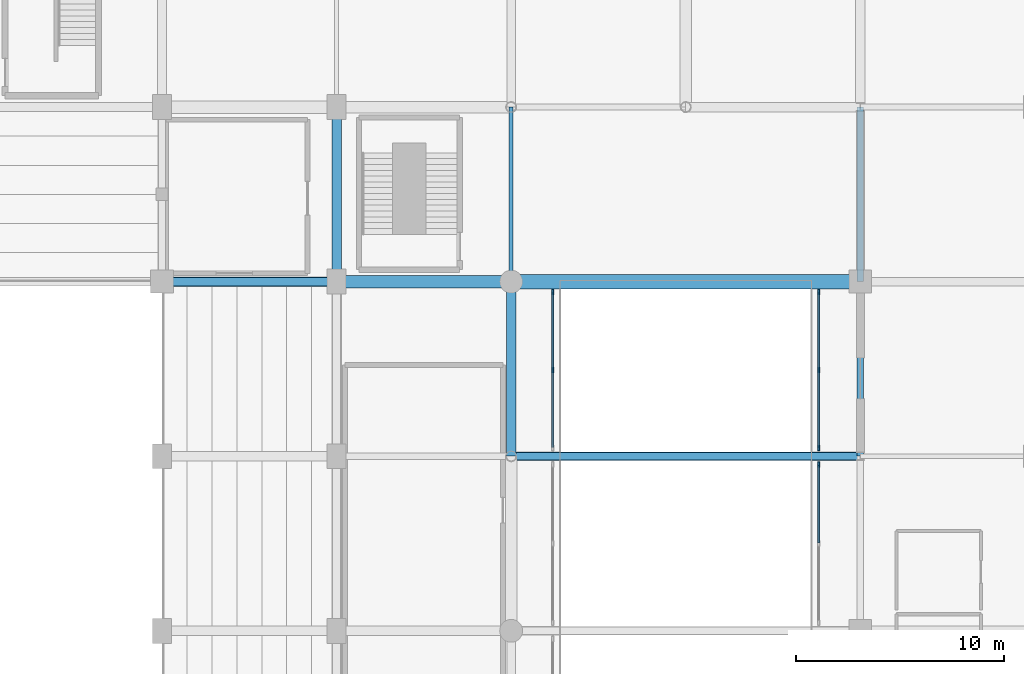
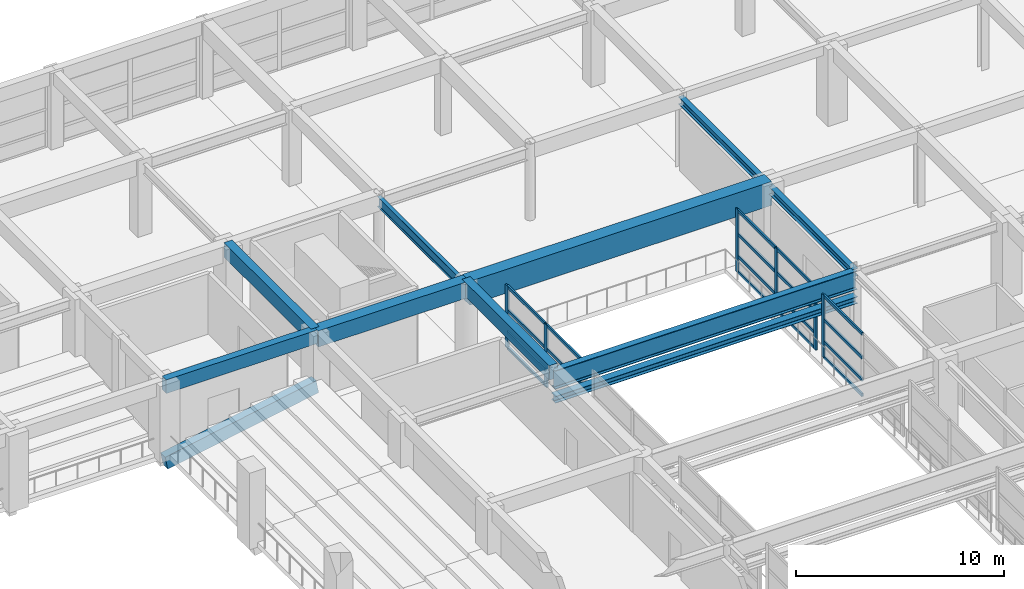
# One storey, part 26 of 62: 25 members, 10 beams, 3 elements without a shape of their own.
"""IFC4 building model written with IfcOpenShell, lengths in metres."""

from ifc_helpers import new_model, si_unit, direction, frame, origin, origin_2d, place, context, subcontext, project, spatial, rectangle, i_section, extrude, material, material_profile, profile_set, type_object, element, aggregate, save


model = new_model("IFC4")

# Units and contexts
model_context = context("Model", 3, precision=1e-05, world=origin(), true_north=direction((0.0, 1.0)))
body_context = subcontext(model_context, "Body", "Model", "MODEL_VIEW")
ifc_project = project(units=[si_unit("LENGTHUNIT", "METRE"), si_unit("AREAUNIT", "SQUARE_METRE"), si_unit("VOLUMEUNIT", "CUBIC_METRE"), si_unit("PLANEANGLEUNIT", "RADIAN"), si_unit("MASSUNIT", "GRAM", prefix="KILO")], contexts=[model_context])

# Site, building, storey
site_placement = place(None, origin())
site = spatial("IfcSite", under=ifc_project, at=site_placement, CompositionType="ELEMENT")
building_placement = place(site_placement, origin())
building = spatial("IfcBuilding", under=site, at=building_placement, Name="Xuanlan Plaza Opera House", CompositionType="ELEMENT")
storey_placement = place(building_placement, frame((0.0, 0.0, 14.39990234375)))
storey = spatial("IfcBuildingStorey", under=building, at=storey_placement, Name="L03", CompositionType="ELEMENT", Elevation=14.39990234375)

# Curtain wall, members
ifc_material_1 = material(Name="Anodised Aluminium 6063-T6 and Low-E Glass", Category="aluminium")
curtain_wall_type = type_object("IfcCurtainWallType", Name="ENV-CW-CW-06", PredefinedType="USERDEFINED", material=ifc_material_1)
curtain_wall_1_placement = place(storey_placement, origin())
curtain_wall_1 = element("IfcCurtainWall", 1, at=curtain_wall_1_placement, inside=storey, type_object=curtain_wall_type, Name="Acoustic Glazed Wall ATR-L03-14", ObjectType="ACOUSTIC GLAZED WALL", PredefinedType="USERDEFINED")
ifc_material_2 = material(Name="Anodised Aluminium 6063-T6", Category="aluminium")
ifc_material_profile_1 = material_profile(ifc_material_2, rectangle(XDim=0.090087890625, YDim=0.25, at=origin_2d()), Name="ALU-M 90x250")
ifc_profile_set_1 = profile_set([ifc_material_profile_1], Name="Anodised Aluminium 6063-T6")
member_type_1 = type_object("IfcMemberType", Name="ENV-CWM-05", PredefinedType="MULLION", material=ifc_profile_set_1)
member_1_placement = place(storey_placement, frame((111.199951171875, 71.35009765625, 0.0), z_axis=(0.0, 0.0, 1.0), x_axis=(-1.0, 0.0, 0.0)))
member_1 = element("IfcMember", 2, at=member_1_placement, type_object=member_type_1, Name="CW-06 mullion 2", PredefinedType="MULLION", context=body_context, shape_type="SweptSolid", body=[
    extrude(rectangle(XDim=0.090087890625, YDim=0.25, at=origin_2d()), origin(), (0.0, 0.0, 1.0), 3.68017578125),
])
member_2_placement = place(storey_placement, frame((111.199951171875, 75.10498046875, 0.0), z_axis=(0.0, 0.0, 1.0), x_axis=(-1.0, 0.0, 0.0)))
member_2 = element("IfcMember", 3, at=member_2_placement, type_object=member_type_1, Name="CW-06 mullion 3", PredefinedType="MULLION", context=body_context, shape_type="SweptSolid", body=[
    extrude(rectangle(XDim=0.090087890625, YDim=0.25, at=origin_2d()), origin(), (0.0, 0.0, 1.0), 3.68017578125),
])

# Curtain wall, member
curtain_wall_2_placement = place(storey_placement, origin())
curtain_wall_2 = element("IfcCurtainWall", 4, at=curtain_wall_2_placement, inside=storey, type_object=curtain_wall_type, Name="Acoustic Glazed Wall ATR-L03-23", ObjectType="ACOUSTIC GLAZED WALL", PredefinedType="USERDEFINED")
member_3_placement = place(storey_placement, frame((124.0, 66.804931640625, 0.0), z_axis=(0.0, 0.0, 1.0), x_axis=(-1.0, 0.0, 0.0)))
member_3 = element("IfcMember", 5, at=member_3_placement, type_object=member_type_1, Name="CW-06 mullion 3", PredefinedType="MULLION", context=body_context, shape_type="SweptSolid", body=[
    extrude(rectangle(XDim=0.090087890625, YDim=0.25, at=origin_2d()), origin(), (0.0, 0.0, 1.0), 3.68017578125),
])

# Curtain wall, members
curtain_wall_3_placement = place(storey_placement, origin())
curtain_wall_3 = element("IfcCurtainWall", 6, at=curtain_wall_3_placement, inside=storey, type_object=curtain_wall_type, Name="Acoustic Glazed Wall ATR-L03-24", ObjectType="ACOUSTIC GLAZED WALL", PredefinedType="USERDEFINED")
member_4_placement = place(storey_placement, frame((124.0, 67.594970703125, 0.0), z_axis=(0.0, 0.0, 1.0), x_axis=(-1.0, 0.0, 0.0)))
member_4 = element("IfcMember", 7, at=member_4_placement, type_object=member_type_1, Name="CW-06 mullion 1", PredefinedType="MULLION", context=body_context, shape_type="SweptSolid", body=[
    extrude(rectangle(XDim=0.090087890625, YDim=0.25, at=origin_2d()), origin(), (0.0, 0.0, 1.0), 3.68017578125),
])
member_5_placement = place(storey_placement, frame((124.0, 71.35009765625, 0.0), z_axis=(0.0, 0.0, 1.0), x_axis=(-1.0, 0.0, 0.0)))
member_5 = element("IfcMember", 8, at=member_5_placement, type_object=member_type_1, Name="CW-06 mullion 2", PredefinedType="MULLION", context=body_context, shape_type="SweptSolid", body=[
    extrude(rectangle(XDim=0.090087890625, YDim=0.25, at=origin_2d()), origin(), (0.0, 0.0, 1.0), 3.68017578125),
])
member_6_placement = place(storey_placement, frame((124.0, 75.10498046875, 0.0), z_axis=(0.0, 0.0, 1.0), x_axis=(-1.0, 0.0, 0.0)))
member_6 = element("IfcMember", 9, at=member_6_placement, type_object=member_type_1, Name="CW-06 mullion 3", PredefinedType="MULLION", context=body_context, shape_type="SweptSolid", body=[
    extrude(rectangle(XDim=0.090087890625, YDim=0.25, at=origin_2d()), origin(), (0.0, 0.0, 1.0), 3.68017578125),
])

# Member
ifc_material_profile_2 = material_profile(ifc_material_2, rectangle(XDim=0.090087890625, YDim=0.179931640625, at=origin_2d()), Name="ALU-T 90x180")
ifc_profile_set_2 = profile_set([ifc_material_profile_2], Name="Anodised Aluminium 6063-T6")
member_type_2 = type_object("IfcMemberType", Name="ENV-CWT-05", PredefinedType="USERDEFINED", material=ifc_profile_set_2)
member_7_placement = place(storey_placement, frame((111.199951171875, 67.639892578125, 2.25), z_axis=(0.0, 1.0, 0.0), x_axis=(-1.0, 0.0, 0.0)))
member_7 = element("IfcMember", 10, at=member_7_placement, type_object=member_type_2, Name="CW-06 transom 1.3", ObjectType="TRANSOM", PredefinedType="USERDEFINED", context=body_context, shape_type="SweptSolid", body=[
    extrude(rectangle(XDim=0.090087890625, YDim=0.179931640625, at=origin_2d()), origin(), (0.0, 0.0, 1.0), 3.6650390625),
])

member_8_placement = place(storey_placement, frame((111.199951171875, 67.639892578125, 3.635009765625), z_axis=(0.0, 1.0, 0.0), x_axis=(-1.0, 0.0, 0.0)))
member_8 = element("IfcMember", 11, at=member_8_placement, type_object=member_type_2, Name="CW-06 transom 1.4", ObjectType="TRANSOM", PredefinedType="USERDEFINED", context=body_context, shape_type="SweptSolid", body=[
    extrude(rectangle(XDim=0.090087890625, YDim=0.179931640625, at=origin_2d()), origin(), (0.0, 0.0, 1.0), 3.6650390625),
])

member_9_placement = place(storey_placement, frame((111.199951171875, 71.39501953125, 0.045166015625), z_axis=(0.0, 1.0, 0.0), x_axis=(-1.0, 0.0, 0.0)))
member_9 = element("IfcMember", 12, at=member_9_placement, type_object=member_type_2, Name="CW-06 transom 2.1", ObjectType="TRANSOM", PredefinedType="USERDEFINED", context=body_context, shape_type="SweptSolid", body=[
    extrude(rectangle(XDim=0.090087890625, YDim=0.179931640625, at=origin_2d()), origin(), (0.0, 0.0, 1.0), 3.6650390625),
])

member_10_placement = place(storey_placement, frame((111.199951171875, 71.39501953125, 0.9501953125), z_axis=(0.0, 1.0, 0.0), x_axis=(-1.0, 0.0, 0.0)))
member_10 = element("IfcMember", 13, at=member_10_placement, type_object=member_type_2, Name="CW-06 transom 2.2", ObjectType="TRANSOM", PredefinedType="USERDEFINED", context=body_context, shape_type="SweptSolid", body=[
    extrude(rectangle(XDim=0.090087890625, YDim=0.179931640625, at=origin_2d()), origin(), (0.0, 0.0, 1.0), 3.6650390625),
])

member_11_placement = place(storey_placement, frame((111.199951171875, 71.39501953125, 2.25), z_axis=(0.0, 1.0, 0.0), x_axis=(-1.0, 0.0, 0.0)))
member_11 = element("IfcMember", 14, at=member_11_placement, type_object=member_type_2, Name="CW-06 transom 2.3", ObjectType="TRANSOM", PredefinedType="USERDEFINED", context=body_context, shape_type="SweptSolid", body=[
    extrude(rectangle(XDim=0.090087890625, YDim=0.179931640625, at=origin_2d()), origin(), (0.0, 0.0, 1.0), 3.6650390625),
])

member_12_placement = place(storey_placement, frame((111.199951171875, 71.39501953125, 3.635009765625), z_axis=(0.0, 1.0, 0.0), x_axis=(-1.0, 0.0, 0.0)))
member_12 = element("IfcMember", 15, at=member_12_placement, type_object=member_type_2, Name="CW-06 transom 2.4", ObjectType="TRANSOM", PredefinedType="USERDEFINED", context=body_context, shape_type="SweptSolid", body=[
    extrude(rectangle(XDim=0.090087890625, YDim=0.179931640625, at=origin_2d()), origin(), (0.0, 0.0, 1.0), 3.6650390625),
])

aggregate(curtain_wall_1, [member_1, member_2, member_7, member_8, member_9, member_10, member_11, member_12])

member_13_placement = place(storey_placement, frame((124.0, 63.044921875, 0.045166015625), z_axis=(0.0, 1.0, 0.0), x_axis=(-1.0, 0.0, 0.0)))
member_13 = element("IfcMember", 16, at=member_13_placement, type_object=member_type_2, Name="CW-06 transom 2.1", ObjectType="TRANSOM", PredefinedType="USERDEFINED", context=body_context, shape_type="SweptSolid", body=[
    extrude(rectangle(XDim=0.090087890625, YDim=0.179931640625, at=origin_2d()), origin(), (0.0, 0.0, 1.0), 3.715087890625),
])

member_14_placement = place(storey_placement, frame((124.0, 63.044921875, 0.9501953125), z_axis=(0.0, 1.0, 0.0), x_axis=(-1.0, 0.0, 0.0)))
member_14 = element("IfcMember", 17, at=member_14_placement, type_object=member_type_2, Name="CW-06 transom 2.2", ObjectType="TRANSOM", PredefinedType="USERDEFINED", context=body_context, shape_type="SweptSolid", body=[
    extrude(rectangle(XDim=0.090087890625, YDim=0.179931640625, at=origin_2d()), origin(), (0.0, 0.0, 1.0), 3.715087890625),
])

member_15_placement = place(storey_placement, frame((124.0, 63.044921875, 2.25), z_axis=(0.0, 1.0, 0.0), x_axis=(-1.0, 0.0, 0.0)))
member_15 = element("IfcMember", 18, at=member_15_placement, type_object=member_type_2, Name="CW-06 transom 2.3", ObjectType="TRANSOM", PredefinedType="USERDEFINED", context=body_context, shape_type="SweptSolid", body=[
    extrude(rectangle(XDim=0.090087890625, YDim=0.179931640625, at=origin_2d()), origin(), (0.0, 0.0, 1.0), 3.715087890625),
])

member_16_placement = place(storey_placement, frame((124.0, 63.044921875, 3.635009765625), z_axis=(0.0, 1.0, 0.0), x_axis=(-1.0, 0.0, 0.0)))
member_16 = element("IfcMember", 19, at=member_16_placement, type_object=member_type_2, Name="CW-06 transom 2.4", ObjectType="TRANSOM", PredefinedType="USERDEFINED", context=body_context, shape_type="SweptSolid", body=[
    extrude(rectangle(XDim=0.090087890625, YDim=0.179931640625, at=origin_2d()), origin(), (0.0, 0.0, 1.0), 3.715087890625),
])

aggregate(curtain_wall_2, [member_3, member_13, member_14, member_15, member_16])

member_17_placement = place(storey_placement, frame((124.0, 67.639892578125, 0.045166015625), z_axis=(0.0, 1.0, 0.0), x_axis=(-1.0, 0.0, 0.0)))
member_17 = element("IfcMember", 20, at=member_17_placement, type_object=member_type_2, Name="CW-06 transom 1.1", ObjectType="TRANSOM", PredefinedType="USERDEFINED", context=body_context, shape_type="SweptSolid", body=[
    extrude(rectangle(XDim=0.090087890625, YDim=0.179931640625, at=origin_2d()), origin(), (0.0, 0.0, 1.0), 3.6650390625),
])

member_18_placement = place(storey_placement, frame((124.0, 67.639892578125, 0.9501953125), z_axis=(0.0, 1.0, 0.0), x_axis=(-1.0, 0.0, 0.0)))
member_18 = element("IfcMember", 21, at=member_18_placement, type_object=member_type_2, Name="CW-06 transom 1.2", ObjectType="TRANSOM", PredefinedType="USERDEFINED", context=body_context, shape_type="SweptSolid", body=[
    extrude(rectangle(XDim=0.090087890625, YDim=0.179931640625, at=origin_2d()), origin(), (0.0, 0.0, 1.0), 3.6650390625),
])

member_19_placement = place(storey_placement, frame((124.0, 67.639892578125, 2.25), z_axis=(0.0, 1.0, 0.0), x_axis=(-1.0, 0.0, 0.0)))
member_19 = element("IfcMember", 22, at=member_19_placement, type_object=member_type_2, Name="CW-06 transom 1.3", ObjectType="TRANSOM", PredefinedType="USERDEFINED", context=body_context, shape_type="SweptSolid", body=[
    extrude(rectangle(XDim=0.090087890625, YDim=0.179931640625, at=origin_2d()), origin(), (0.0, 0.0, 1.0), 3.6650390625),
])

member_20_placement = place(storey_placement, frame((124.0, 67.639892578125, 3.635009765625), z_axis=(0.0, 1.0, 0.0), x_axis=(-1.0, 0.0, 0.0)))
member_20 = element("IfcMember", 23, at=member_20_placement, type_object=member_type_2, Name="CW-06 transom 1.4", ObjectType="TRANSOM", PredefinedType="USERDEFINED", context=body_context, shape_type="SweptSolid", body=[
    extrude(rectangle(XDim=0.090087890625, YDim=0.179931640625, at=origin_2d()), origin(), (0.0, 0.0, 1.0), 3.6650390625),
])

member_21_placement = place(storey_placement, frame((124.0, 71.39501953125, 0.045166015625), z_axis=(0.0, 1.0, 0.0), x_axis=(-1.0, 0.0, 0.0)))
member_21 = element("IfcMember", 24, at=member_21_placement, type_object=member_type_2, Name="CW-06 transom 2.1", ObjectType="TRANSOM", PredefinedType="USERDEFINED", context=body_context, shape_type="SweptSolid", body=[
    extrude(rectangle(XDim=0.090087890625, YDim=0.179931640625, at=origin_2d()), origin(), (0.0, 0.0, 1.0), 3.6650390625),
])

member_22_placement = place(storey_placement, frame((124.0, 71.39501953125, 0.9501953125), z_axis=(0.0, 1.0, 0.0), x_axis=(-1.0, 0.0, 0.0)))
member_22 = element("IfcMember", 25, at=member_22_placement, type_object=member_type_2, Name="CW-06 transom 2.2", ObjectType="TRANSOM", PredefinedType="USERDEFINED", context=body_context, shape_type="SweptSolid", body=[
    extrude(rectangle(XDim=0.090087890625, YDim=0.179931640625, at=origin_2d()), origin(), (0.0, 0.0, 1.0), 3.6650390625),
])

member_23_placement = place(storey_placement, frame((124.0, 71.39501953125, 2.25), z_axis=(0.0, 1.0, 0.0), x_axis=(-1.0, 0.0, 0.0)))
member_23 = element("IfcMember", 26, at=member_23_placement, type_object=member_type_2, Name="CW-06 transom 2.3", ObjectType="TRANSOM", PredefinedType="USERDEFINED", context=body_context, shape_type="SweptSolid", body=[
    extrude(rectangle(XDim=0.090087890625, YDim=0.179931640625, at=origin_2d()), origin(), (0.0, 0.0, 1.0), 3.6650390625),
])

member_24_placement = place(storey_placement, frame((124.0, 71.39501953125, 3.635009765625), z_axis=(0.0, 1.0, 0.0), x_axis=(-1.0, 0.0, 0.0)))
member_24 = element("IfcMember", 27, at=member_24_placement, type_object=member_type_2, Name="CW-06 transom 2.4", ObjectType="TRANSOM", PredefinedType="USERDEFINED", context=body_context, shape_type="SweptSolid", body=[
    extrude(rectangle(XDim=0.090087890625, YDim=0.179931640625, at=origin_2d()), origin(), (0.0, 0.0, 1.0), 3.6650390625),
])

aggregate(curtain_wall_3, [member_4, member_5, member_6, member_17, member_18, member_19, member_20, member_21, member_22, member_23, member_24])

# Beams
ifc_material_3 = material(Name="Concrete C50", Category="concrete")
ifc_material_profile_3 = material_profile(ifc_material_3, rectangle(XDim=0.60009765625, YDim=0.949951171875, at=origin_2d()), Name="RC-BM 600x950")
ifc_profile_set_3 = profile_set([ifc_material_profile_3], Name="Concrete C50")
beam_type_1 = type_object("IfcBeamType", Name="STR-BM-B-01", PredefinedType="BEAM", material=ifc_profile_set_3)
beam_1_placement = place(storey_placement, frame((100.800048828125, 75.60009765625, 4.025146484375), z_axis=(1.0, 0.0, 0.0), x_axis=(0.0, 1.0, 0.0)))
element("IfcBeam", 28, at=beam_1_placement, inside=storey, type_object=beam_type_1, Name="Grid Beam X L03 13-14/J", PredefinedType="BEAM", context=body_context, shape_type="SweptSolid", body=[
    extrude(rectangle(XDim=0.60009765625, YDim=0.949951171875, at=origin_2d()), origin(), (0.0, 0.0, 1.0), 8.39990234375),
])
ifc_material_4 = material(Name="Concrete C40", Category="concrete")
ifc_material_profile_4 = material_profile(ifc_material_4, rectangle(XDim=0.449951171875, YDim=0.85009765625, at=origin_2d()), Name="RC-BM 450x850")
ifc_profile_set_4 = profile_set([ifc_material_profile_4], Name="Concrete C40")
beam_type_2 = type_object("IfcBeamType", Name="STR-BM-B-04", PredefinedType="BEAM", material=ifc_profile_set_4)
beam_2_placement = place(storey_placement, frame((100.800048828125, 75.60009765625, 4.0751953125), z_axis=(0.0, 1.0, 0.0), x_axis=(-1.0, 0.0, 0.0)))
element("IfcBeam", 29, at=beam_2_placement, inside=storey, type_object=beam_type_2, Name="Grid Beam Y L03 13/J-K", PredefinedType="BEAM", context=body_context, shape_type="SweptSolid", body=[
    extrude(rectangle(XDim=0.449951171875, YDim=0.85009765625, at=origin_2d()), origin(), (0.0, 0.0, 1.0), 8.39990234375),
])
beam_3_placement = place(storey_placement, frame((109.199951171875, 67.199951171875, 4.0751953125), z_axis=(0.0, 1.0, 0.0), x_axis=(-1.0, 0.0, 0.0)))
element("IfcBeam", 30, at=beam_3_placement, inside=storey, type_object=beam_type_2, Name="Grid Beam Y L03 14/I-J", PredefinedType="BEAM", context=body_context, shape_type="SweptSolid", body=[
    extrude(rectangle(XDim=0.449951171875, YDim=0.85009765625, at=origin_2d()), origin(), (0.0, 0.0, 1.0), 8.400146484375),
])
ifc_material_profile_5 = material_profile(ifc_material_3, rectangle(XDim=0.699951171875, YDim=1.39990234375, at=origin_2d()), Name="RC-LG 700x1400")
ifc_profile_set_5 = profile_set([ifc_material_profile_5], Name="Concrete C50")
beam_type_3 = type_object("IfcBeamType", Name="STR-BM-LG-01", PredefinedType="BEAM", material=ifc_profile_set_5)
beam_4_placement = place(storey_placement, frame((109.199951171875, 75.60009765625, 3.800048828125), z_axis=(1.0, 0.0, 0.0), x_axis=(0.0, 1.0, 0.0)))
element("IfcBeam", 31, at=beam_4_placement, inside=storey, type_object=beam_type_3, Name="Grid Beam X L03 14-16/J", PredefinedType="BEAM", context=body_context, shape_type="SweptSolid", body=[
    extrude(rectangle(XDim=0.699951171875, YDim=1.39990234375, at=origin_2d()), origin(), (0.0, 0.0, 1.0), 16.800048828125),
])
ifc_material_5 = material(Name="Steel Q390B", Category="steel")
ifc_material_profile_6 = material_profile(ifc_material_5, i_section(OverallWidth=0.35009765625, OverallDepth=1.10009765625, WebThickness=0.01806640625, FlangeThickness=0.031982421875, FilletRadius=0.028076171875, at=origin_2d()), Name="HN 1100x350x18x32")
ifc_profile_set_6 = profile_set([ifc_material_profile_6], Name="Steel Q390B")
beam_type_4 = type_object("IfcBeamType", Name="STR-BM-LG-02", PredefinedType="BEAM", material=ifc_profile_set_6)
beam_5_placement = place(storey_placement, frame((109.199951171875, 67.199951171875, 3.68505859375), z_axis=(1.0, 0.0, 0.0), x_axis=(0.0, 1.0, 0.0)))
element("IfcBeam", 32, at=beam_5_placement, inside=storey, type_object=beam_type_4, Name="Grid Beam X L03 14-16/I", PredefinedType="BEAM", context=body_context, shape_type="SweptSolid", body=[
    extrude(i_section(OverallWidth=0.35009765625, OverallDepth=1.10009765625, WebThickness=0.01806640625, FlangeThickness=0.031982421875, FilletRadius=0.028076171875, at=origin_2d()), origin(), (0.0, 0.0, 1.0), 16.800048828125),
])
ifc_material_profile_7 = material_profile(ifc_material_4, rectangle(XDim=0.449951171875, YDim=0.760009765625, at=origin_2d()), Name="RC-RKR 450x760")
ifc_profile_set_7 = profile_set([ifc_material_profile_7], Name="Concrete C40")
beam_type_5 = type_object("IfcBeamType", Name="STR-BM-RK-01", PredefinedType="BEAM", material=ifc_profile_set_7)
beam_6_placement = place(storey_placement, frame((92.39990234375, 75.60009765625, -0.3798828125), z_axis=(0.983188076512, 0.0, 0.182595745311), x_axis=(0.0, 1.0, 0.0)))
element("IfcBeam", 33, at=beam_6_placement, inside=storey, type_object=beam_type_5, Name="Auditorium Tier Raker Beam L03 Y75", PredefinedType="BEAM", context=body_context, shape_type="SweptSolid", body=[
    extrude(rectangle(XDim=0.449951171875, YDim=0.760009765625, at=origin_2d()), origin(), (0.0, 0.0, 1.0), 8.543701171875),
])
ifc_material_6 = material(Name="Steel Q355B", Category="steel")
ifc_material_profile_8 = material_profile(ifc_material_6, i_section(OverallWidth=0.199951171875, OverallDepth=0.60009765625, WebThickness=0.010986328125, FlangeThickness=0.01708984375, FilletRadius=0.02197265625, at=origin_2d()), Name="HN 600x200x11x17")
ifc_profile_set_8 = profile_set([ifc_material_profile_8], Name="Steel Q355B")
beam_type_6 = type_object("IfcBeamType", Name="STR-BM-SB-04", PredefinedType="BEAM", material=ifc_profile_set_8)
beam_7_placement = place(storey_placement, frame((109.199951171875, 75.60009765625, 3.93505859375), z_axis=(0.0, 1.0, 0.0), x_axis=(-1.0, 0.0, 0.0)))
element("IfcBeam", 34, at=beam_7_placement, inside=storey, type_object=beam_type_6, Name="Grid Beam Y L03 14/J-K", PredefinedType="BEAM", context=body_context, shape_type="SweptSolid", body=[
    extrude(i_section(OverallWidth=0.199951171875, OverallDepth=0.60009765625, WebThickness=0.010986328125, FlangeThickness=0.01708984375, FilletRadius=0.02197265625, at=origin_2d()), origin(), (0.0, 0.0, 1.0), 8.39990234375),
])
ifc_material_profile_9 = material_profile(ifc_material_6, i_section(OverallWidth=0.300048828125, OverallDepth=0.43994140625, WebThickness=0.010986328125, FlangeThickness=0.01806640625, FilletRadius=0.02001953125, at=origin_2d()), Name="HM 440x300x11x18")
ifc_profile_set_9 = profile_set([ifc_material_profile_9], Name="Steel Q355B")
beam_type_7 = type_object("IfcBeamType", Name="STR-BM-SB-08", PredefinedType="BEAM", material=ifc_profile_set_9)
beam_8_placement = place(storey_placement, frame((126.0, 67.199951171875, 4.01513671875), z_axis=(0.0, 1.0, 0.0), x_axis=(-1.0, 0.0, 0.0)))
element("IfcBeam", 35, at=beam_8_placement, inside=storey, type_object=beam_type_7, Name="Grid Beam Y L03 16/I-J", PredefinedType="BEAM", context=body_context, shape_type="SweptSolid", body=[
    extrude(i_section(OverallWidth=0.300048828125, OverallDepth=0.43994140625, WebThickness=0.010986328125, FlangeThickness=0.01806640625, FilletRadius=0.02001953125, at=origin_2d()), origin(), (0.0, 0.0, 1.0), 8.400146484375),
])
beam_9_placement = place(storey_placement, frame((126.0, 75.60009765625, 4.01513671875), z_axis=(0.0, 1.0, 0.0), x_axis=(-1.0, 0.0, 0.0)))
element("IfcBeam", 36, at=beam_9_placement, inside=storey, type_object=beam_type_7, Name="Grid Beam Y L03 16/J-K", PredefinedType="BEAM", context=body_context, shape_type="SweptSolid", body=[
    extrude(i_section(OverallWidth=0.300048828125, OverallDepth=0.43994140625, WebThickness=0.010986328125, FlangeThickness=0.01806640625, FilletRadius=0.02001953125, at=origin_2d()), origin(), (0.0, 0.0, 1.0), 8.39990234375),
])
ifc_material_profile_10 = material_profile(ifc_material_4, rectangle(XDim=0.39990234375, YDim=0.800048828125, at=origin_2d()), Name="RC-SPD 400x800")
ifc_profile_set_10 = profile_set([ifc_material_profile_10], Name="Concrete C40")
beam_type_8 = type_object("IfcBeamType", Name="STR-BM-SP-01", PredefinedType="SPANDREL", material=ifc_profile_set_10)
beam_10_placement = place(storey_placement, frame((92.39990234375, 75.60009765625, 4.10009765625), z_axis=(1.0, 0.0, 0.0), x_axis=(0.0, 1.0, 0.0)))
element("IfcBeam", 37, at=beam_10_placement, inside=storey, type_object=beam_type_8, Name="Grid Beam X L03 12-13/J", PredefinedType="SPANDREL", context=body_context, shape_type="SweptSolid", body=[
    extrude(rectangle(XDim=0.39990234375, YDim=0.800048828125, at=origin_2d()), origin(), (0.0, 0.0, 1.0), 8.400146484375),
])

# Member
ifc_material_profile_11 = material_profile(ifc_material_5, i_section(OverallWidth=0.39990234375, OverallDepth=0.39990234375, WebThickness=0.012939453125, FlangeThickness=0.02099609375, FilletRadius=0.02197265625, at=origin_2d()), Name="HW 400x400x13x21")
ifc_profile_set_11 = profile_set([ifc_material_profile_11], Name="Steel Q390B")
member_type_3 = type_object("IfcMemberType", Name="STR-MEM-ATC-01", PredefinedType="CHORD", material=ifc_profile_set_11)
member_25_placement = place(storey_placement, frame((109.199951171875, 67.199951171875, 2.53515625), z_axis=(1.0, 0.0, 0.0), x_axis=(0.0, 1.0, 0.0)))
element("IfcMember", 38, at=member_25_placement, inside=storey, type_object=member_type_3, Name="Atrium Truss Bottom Chord L03 Grid I", PredefinedType="CHORD", context=body_context, shape_type="SweptSolid", body=[
    extrude(i_section(OverallWidth=0.39990234375, OverallDepth=0.39990234375, WebThickness=0.012939453125, FlangeThickness=0.02099609375, FilletRadius=0.02197265625, at=origin_2d()), origin(), (0.0, 0.0, 1.0), 16.800048828125),
])

save(model, "model.ifc")
